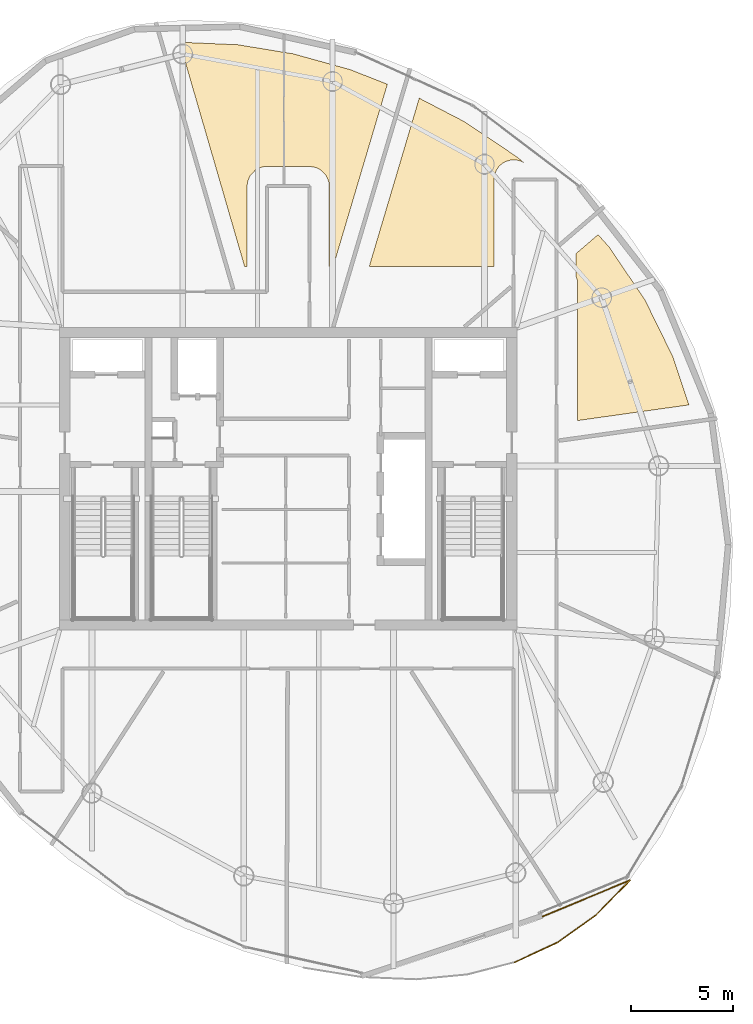
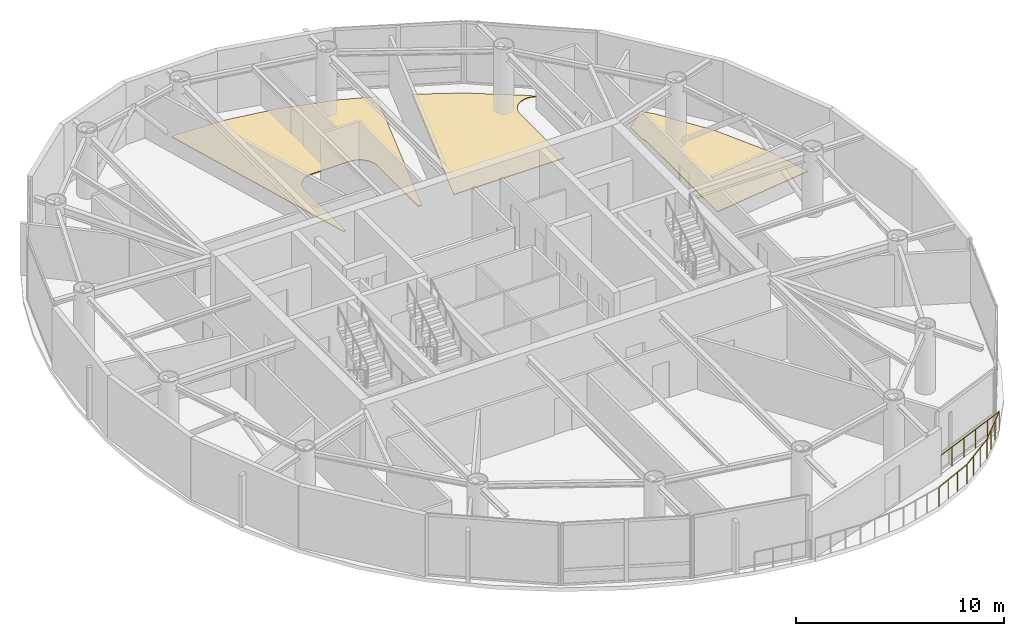
# One storey, part 19 of 19: 4 railings, 3 coverings.
"""IFC4 building model written with IfcOpenShell, lengths in metres."""

import ifcopenshell
import ifcopenshell.guid

model = None  # the IFC model being written
_history = None  # IfcOwnerHistory: only IFC2X3 demands one
_inside = {}  # id of a spatial element -> (the spatial element, [elements in it])
_under = {}  # id of a project, library or spatial element -> (it, [spatial elements below it])
_declared = {}  # id of a project -> (the project, [libraries it declares])
_typed = {}  # id of a type object -> (the type object, [elements of that type])
_made_of = {}  # id of a material, layer set ... -> (it, [elements and type objects made of it])


def new_model(schema):
    """Start an empty IFC model of exactly this schema.

    Asked for "IFC4X3", IfcOpenShell would pick the latest addendum, in which some entities
    have other attributes; the version numbers below select the first issue.
    IFC2X3 requires an IfcOwnerHistory on every rooted entity: one is made here for all.
    """
    global model, _history
    if schema == "IFC4X3":
        model = ifcopenshell.file(schema_version=(4, 3, 0, 0))
    else:
        model = ifcopenshell.file(schema=schema)
    _inside.clear()
    _under.clear()
    _declared.clear()
    _typed.clear()
    _made_of.clear()
    _history = None
    if model.schema == "IFC2X3":
        org = make("IfcOrganization", Name="unknown")
        user = make(
            "IfcPersonAndOrganization",
            ThePerson=make("IfcPerson", FamilyName="unknown"),
            TheOrganization=org,
        )
        app = make(
            "IfcApplication",
            ApplicationDeveloper=org,
            Version="unknown",
            ApplicationFullName="unknown",
            ApplicationIdentifier="unknown",
        )
        _history = make(
            "IfcOwnerHistory",
            OwningUser=user,
            OwningApplication=app,
            ChangeAction="ADDED",
            CreationDate=0,
        )
    return model


def make(cls, **values):
    """One entity of the class cls with the attributes given. An attribute that is None is left unset."""
    return model.create_entity(
        cls, **{name: value for name, value in values.items() if value is not None}
    )


def rooted(cls, **values):
    """An entity with a GlobalId (a new one), such as an element, a storey or a relation."""
    return make(cls, GlobalId=ifcopenshell.guid.new(), OwnerHistory=_history, **values)


def si_unit(unit_type, name, prefix=None):
    """IfcSIUnit, for example si_unit("LENGTHUNIT", "METRE", prefix="MILLI")."""
    return make("IfcSIUnit", UnitType=unit_type, Prefix=prefix, Name=name)


def assignment(units):
    """IfcUnitAssignment: the units of a project."""
    return None if units is None else make("IfcUnitAssignment", Units=units)


def point(xyz):
    """IfcCartesianPoint."""
    return None if xyz is None else make("IfcCartesianPoint", Coordinates=xyz)


def direction(xyz):
    """IfcDirection."""
    return None if xyz is None else make("IfcDirection", DirectionRatios=xyz)


def frame(location, z_axis=None, x_axis=None):
    """IfcAxis2Placement3D, a coordinate frame: its origin and axes. An axis left out is left unset."""
    return make(
        "IfcAxis2Placement3D",
        Location=point(location),
        Axis=direction(z_axis),
        RefDirection=direction(x_axis),
    )


def frame_2d(location, x_axis=None):
    """IfcAxis2Placement2D, a coordinate frame in the plane: its origin and x axis."""
    return make(
        "IfcAxis2Placement2D", Location=point(location), RefDirection=direction(x_axis)
    )


def origin():
    """The frame at (0, 0, 0) with its axes left unset."""
    return frame((0.0, 0.0, 0.0))


def origin_2d():
    """The frame at (0, 0) in the plane with its x axis left unset."""
    return frame_2d((0.0, 0.0))


def place(relative_to, where):
    """IfcLocalPlacement: puts the frame where relative to a parent placement (None: the world)."""
    return make(
        "IfcLocalPlacement", PlacementRelTo=relative_to, RelativePlacement=where
    )


def context(
    kind, dimensions, precision=None, world=None, true_north=None, identifier=None
):
    """IfcGeometricRepresentationContext, for example the 3D "Model" context."""
    return make(
        "IfcGeometricRepresentationContext",
        ContextIdentifier=identifier,
        ContextType=kind,
        CoordinateSpaceDimension=dimensions,
        Precision=precision,
        WorldCoordinateSystem=world,
        TrueNorth=true_north,
    )


def subcontext(parent, identifier, kind, view, scale=None):
    """IfcGeometricRepresentationSubContext, for example "Body" below "Model"."""
    return make(
        "IfcGeometricRepresentationSubContext",
        ContextIdentifier=identifier,
        ContextType=kind,
        ParentContext=parent,
        TargetScale=scale,
        TargetView=view,
    )


def project(units=None, contexts=None):
    """IfcProject with its units and contexts."""
    return rooted(
        "IfcProject",
        Name="project",
        RepresentationContexts=contexts,
        UnitsInContext=assignment(units),
    )


def spatial(cls, under=None, at=None, **own):
    """A site, building, storey or space (cls), placed at a placement, below another one or the project."""
    s = rooted(cls, ObjectPlacement=at, **own)
    if under is not None:
        _under.setdefault(under.id(), (under, []))[1].append(s)
    return s


def polyline(points):
    """IfcPolyline through the points."""
    return make("IfcPolyline", Points=[point(p) for p in points])


def profile(cls, at=None, kind="AREA", **sizes):
    """A parametric profile (cls). Its sizes go by their IFC names, for example OverallWidth=200.0."""
    return make(cls, ProfileType=kind, Position=at, **sizes)


def circle(**sizes):
    """IfcCircleProfileDef."""
    return profile("IfcCircleProfileDef", **sizes)


def outline(outer, holes=None, kind="AREA"):
    """IfcArbitraryClosedProfileDef: a profile drawn as a closed curve; with holes, ...WithVoids."""
    if holes is None:
        return make("IfcArbitraryClosedProfileDef", ProfileType=kind, OuterCurve=outer)
    return make(
        "IfcArbitraryProfileDefWithVoids",
        ProfileType=kind,
        OuterCurve=outer,
        InnerCurves=holes,
    )


def extrude(swept, where, along, depth):
    """IfcExtrudedAreaSolid: the profile swept, set in the frame where, extruded along a direction by depth."""
    return make(
        "IfcExtrudedAreaSolid",
        SweptArea=swept,
        Position=where,
        ExtrudedDirection=direction(along),
        Depth=depth,
    )


def shape(context_of_items, identifier, shape_type, items):
    """IfcShapeRepresentation: the items that make up one representation, for example the "Body"."""
    return make(
        "IfcShapeRepresentation",
        ContextOfItems=context_of_items,
        RepresentationIdentifier=identifier,
        RepresentationType=shape_type,
        Items=items,
    )


def material(Name=None, Category=None):
    """IfcMaterial."""
    return make("IfcMaterial", Name=Name, Category=Category)


def layer(
    of_material, thickness, ventilated=None, Name=None, Category=None, Priority=None
):
    """IfcMaterialLayer: one layer of a wall or slab, of a material (None: an air gap)."""
    return make(
        "IfcMaterialLayer",
        Material=of_material,
        LayerThickness=thickness,
        IsVentilated=ventilated,
        Name=Name,
        Category=Category,
        Priority=Priority,
    )


def layer_set(layers, Name=None):
    """IfcMaterialLayerSet."""
    return make("IfcMaterialLayerSet", MaterialLayers=layers, LayerSetName=Name)


def made_of(thing, what):
    """Note that an element or type object is made of a material, layer set ...; save() writes the relation."""
    if what is not None:
        _made_of.setdefault(what.id(), (what, []))[1].append(thing)
    return thing


def type_object(cls, material=None, **own):
    """A type object (cls), such as IfcWallType, which elements share."""
    return made_of(rooted(cls, **own), material)


def element(
    cls,
    number,
    at=None,
    inside=None,
    cuts=None,
    type_object=None,
    material=None,
    context=None,
    identifier="Body",
    shape_type=None,
    held_by="IfcProductDefinitionShape",
    body=None,
    shapes=None,
    **own,
):
    """One element of the class cls, such as IfcWall. Its Tag is "e" and its number.

    at: its placement. inside: the storey or other place that contains it. cuts: it is an
    opening in that element (IfcRelVoidsElement). A single representation is given by context,
    identifier, shape_type and body (its items); several are given by shapes. held_by: the class
    of the entity that holds the representations. save() writes the other relations.
    """
    e = rooted(cls, Tag="e%d" % number, ObjectPlacement=at, **own)
    if body is not None:
        shapes = [shape(context, identifier, shape_type, body)]
    if shapes is not None:
        e.Representation = make(held_by, Representations=shapes)
    if inside is not None:
        _inside.setdefault(inside.id(), (inside, []))[1].append(e)
    if cuts is not None:
        rooted(
            "IfcRelVoidsElement", RelatingBuildingElement=cuts, RelatedOpeningElement=e
        )
    if type_object is not None:
        _typed.setdefault(type_object.id(), (type_object, []))[1].append(e)
    return made_of(e, material)


def aggregate(whole, parts):
    """IfcRelAggregates: a whole, such as a stair, and the parts it consists of."""
    return rooted("IfcRelAggregates", RelatingObject=whole, RelatedObjects=parts)


def save(model, path):
    """Write the relations noted so far, then the file.

    IfcRelAggregates (storeys below a building ...), IfcRelContainedInSpatialStructure (elements
    in a storey), IfcRelDefinesByType, IfcRelAssociatesMaterial and IfcRelDeclares: one each for
    every whole, place, type object, material and project.
    """
    for whole, parts in _under.values():
        aggregate(whole, parts)
    for where, things in _inside.values():
        rooted(
            "IfcRelContainedInSpatialStructure",
            RelatedElements=things,
            RelatingStructure=where,
        )
    for kind, things in _typed.values():
        rooted("IfcRelDefinesByType", RelatedObjects=things, RelatingType=kind)
    for what, things in _made_of.values():
        rooted("IfcRelAssociatesMaterial", RelatedObjects=things, RelatingMaterial=what)
    for by, libraries in _declared.values():
        rooted("IfcRelDeclares", RelatingContext=by, RelatedDefinitions=libraries)
    model.write(path)


model = new_model("IFC4")

# Units and contexts
model_context = context("Model", 3, precision=1e-05, world=origin(), true_north=direction((0.0, 1.0)))
body_context = subcontext(model_context, "Body", "Model", "MODEL_VIEW")
ifc_project = project(units=[si_unit("LENGTHUNIT", "METRE"), si_unit("AREAUNIT", "SQUARE_METRE"), si_unit("VOLUMEUNIT", "CUBIC_METRE"), si_unit("PLANEANGLEUNIT", "RADIAN"), si_unit("MASSUNIT", "GRAM", prefix="KILO")], contexts=[model_context])

# Site, building, storey
site_placement = place(None, origin())
site = spatial("IfcSite", under=ifc_project, at=site_placement, CompositionType="ELEMENT")
building_placement = place(site_placement, origin())
building = spatial("IfcBuilding", under=site, at=building_placement, Name="Bramvorn Convention Spire", CompositionType="ELEMENT")
storey_placement = place(building_placement, frame((0.0, 0.0, 272.85009765625)))
storey = spatial("IfcBuildingStorey", under=building, at=storey_placement, Name="L69", CompositionType="ELEMENT", Elevation=272.85009765625)

# Coverings
ifc_material_1 = material(Name="Calcium-Sulphate Raised Access Office Floor", Category="steel")
ifc_layer = layer(ifc_material_1, 0.044921875)
ifc_layer_set = layer_set([ifc_layer], Name="Calcium-Sulphate Raised Access Office Floor - FLR-RAISED-45")
covering_type = type_object("IfcCoveringType", Name="FLR-RAISED-45", PredefinedType="FLOORING", material=ifc_layer_set)
covering_1_placement = place(storey_placement, origin())
element("IfcCovering", 1, at=covering_1_placement, inside=storey, type_object=covering_type, Name="L69 Archive & Document Store 1 1 raised floor finish", PredefinedType="FLOORING", context=body_context, shape_type="SweptSolid", body=[
    extrude(outline(polyline([(52.233642578125, 35.765869140625), (52.25, 35.60009765625), (52.25, 28.861083984375), (57.723876953125, 29.63037109375), (56.941650390625, 31.98486328125), (55.5537109375, 34.808349609375), (53.788818359375, 37.412841796875), (53.25244140625, 38.01025390625), (52.169921875, 37.078125), (52.169921875, 35.95751953125), (52.233642578125, 35.765869140625)])), origin(), (0.0, 0.0, 1.0), 0.044921875),
])
covering_2_placement = place(storey_placement, origin())
element("IfcCovering", 2, at=covering_2_placement, inside=storey, type_object=covering_type, Name="L69 Archive & Document Vault 2 2 raised floor finish", PredefinedType="FLOORING", context=body_context, shape_type="SweptSolid", body=[
    extrude(outline(polyline([(41.9912109375, 36.449951171875), (48.1298828125, 36.449951171875), (48.1298828125, 40.725830078125), (48.161376953125, 40.9697265625), (48.267822265625, 41.22412109375), (48.382080078125, 41.378173828125), (48.534423828125, 41.513916015625), (48.70068359375, 41.60986328125), (48.965576171875, 41.686279296875), (49.157470703125, 41.694091796875), (49.358642578125, 41.66064453125), (49.57470703125, 41.57080078125), (49.280517578125, 41.8232421875), (46.656494140625, 43.580810546875), (44.4501953125, 44.726806640625), (41.9912109375, 36.449951171875)])), origin(), (0.0, 0.0, 1.0), 0.044921875),
])
covering_3_placement = place(storey_placement, origin())
element("IfcCovering", 3, at=covering_3_placement, inside=storey, type_object=covering_type, Name="L69 Archive & Print Store 3 3 raised floor finish", PredefinedType="FLOORING", context=body_context, shape_type="SweptSolid", body=[
    extrude(outline(polyline([(32.96435546875, 47.469482421875), (32.663330078125, 47.44091796875), (35.852783203125, 36.449951171875), (35.97998046875, 36.449951171875), (35.98095703125, 40.441650390625), (36.010498046875, 40.641357421875), (36.12109375, 40.90380859375), (36.376953125, 41.1826171875), (36.61767578125, 41.311279296875), (36.802001953125, 41.3583984375), (39.050048828125, 41.3701171875), (39.37109375, 41.315185546875), (39.632568359375, 41.175537109375), (39.87890625, 40.90380859375), (39.9921875, 40.6298828125), (40.02001953125, 40.39990234375), (40.02001953125, 36.449951171875), (40.2177734375, 36.449951171875), (42.880859375, 45.41455078125), (41.05615234375, 46.131103515625), (38.2451171875, 46.91162109375), (35.528076171875, 47.358154296875), (32.96435546875, 47.469482421875)])), origin(), (0.0, 0.0, 1.0), 0.044921875),
])

# Railings
ifc_material_2 = material(Name="Bronze Cap-Rail & Laminated Structural Glass Balustrade", Category="glass")
railing_type = type_object("IfcRailingType", Name="RL-TERR-GUARD-1150", PredefinedType="GUARDRAIL", material=ifc_material_2)
railing_1_placement = place(storey_placement, frame((54.827880859375, 6.237060546875, 0.0)))
element("IfcRailing", 4, at=railing_1_placement, inside=storey, type_object=railing_type, Name="L69 Sky Garden perimeter safety guardrail 1", PredefinedType="GUARDRAIL", context=body_context, shape_type="SweptSolid", body=[
    extrude(circle(Radius=0.02392578125, at=origin_2d()), frame((0.0, 0.0, 1.1259765625), z_axis=(-0.923532927627, -0.383519141097, 0.0), x_axis=(0.383519141097, -0.923532927627, 0.0)), (0.0, 0.0, 1.0), 4.666015625),
    extrude(circle(Radius=0.02099609375, at=origin_2d()), origin(), (0.0, 0.0, 1.0), 1.101806640625),
    extrude(circle(Radius=0.02099609375, at=origin_2d()), frame((-0.86181640625, -0.35791015625, 0.0)), (0.0, 0.0, 1.0), 1.101806640625),
    extrude(circle(Radius=0.02099609375, at=origin_2d()), frame((-1.7236328125, -0.7158203125, 0.0)), (0.0, 0.0, 1.0), 1.101806640625),
    extrude(circle(Radius=0.02099609375, at=origin_2d()), frame((-2.585693359375, -1.07373046875, 0.0)), (0.0, 0.0, 1.0), 1.101806640625),
    extrude(circle(Radius=0.02099609375, at=origin_2d()), frame((-3.447509765625, -1.431640625, 0.0)), (0.0, 0.0, 1.0), 1.101806640625),
    extrude(circle(Radius=0.02099609375, at=origin_2d()), frame((-4.309326171875, -1.78955078125, 0.0)), (0.0, 0.0, 1.0), 1.101806640625),
])
railing_2_placement = place(storey_placement, frame((49.15185546875, 2.196533203125, 0.0)))
element("IfcRailing", 5, at=railing_2_placement, inside=storey, type_object=railing_type, Name="L69 Sky Garden perimeter safety guardrail 5", PredefinedType="GUARDRAIL", context=body_context, shape_type="SweptSolid", body=[
    extrude(circle(Radius=0.02392578125, at=origin_2d()), frame((0.0, 0.0, 1.1259765625), z_axis=(0.90759599922, 0.419844616734, 0.0), x_axis=(-0.419844616734, 0.90759599922, 0.0)), (0.0, 0.0, 1.0), 2.322509765625),
    extrude(circle(Radius=0.02099609375, at=origin_2d()), origin(), (0.0, 0.0, 1.0), 1.101806640625),
    extrude(circle(Radius=0.02099609375, at=origin_2d()), frame((0.70263671875, 0.324951171875, 0.0)), (0.0, 0.0, 1.0), 1.101806640625),
    extrude(circle(Radius=0.02099609375, at=origin_2d()), frame((1.4052734375, 0.650146484375, 0.0)), (0.0, 0.0, 1.0), 1.101806640625),
    extrude(circle(Radius=0.02099609375, at=origin_2d()), frame((2.10791015625, 0.97509765625, 0.0)), (0.0, 0.0, 1.0), 1.101806640625),
])
railing_3_placement = place(storey_placement, frame((51.259765625, 3.171630859375, 0.0)))
element("IfcRailing", 6, at=railing_3_placement, inside=storey, type_object=railing_type, Name="L69 Sky Garden perimeter safety guardrail 6", PredefinedType="GUARDRAIL", context=body_context, shape_type="SweptSolid", body=[
    extrude(circle(Radius=0.02392578125, at=origin_2d()), frame((0.0, 0.0, 1.1259765625), z_axis=(0.814358033485, 0.580362811781, 0.0), x_axis=(-0.580362811781, 0.814358033485, 0.0)), (0.0, 0.0, 1.0), 2.322509765625),
    extrude(circle(Radius=0.02099609375, at=origin_2d()), origin(), (0.0, 0.0, 1.0), 1.101806640625),
    extrude(circle(Radius=0.02099609375, at=origin_2d()), frame((0.63037109375, 0.44921875, 0.0)), (0.0, 0.0, 1.0), 1.101806640625),
    extrude(circle(Radius=0.02099609375, at=origin_2d()), frame((1.260986328125, 0.898681640625, 0.0)), (0.0, 0.0, 1.0), 1.101806640625),
    extrude(circle(Radius=0.02099609375, at=origin_2d()), frame((1.891357421875, 1.347900390625, 0.0)), (0.0, 0.0, 1.0), 1.101806640625),
])
railing_4_placement = place(storey_placement, frame((53.151123046875, 4.51953125, 0.0)))
element("IfcRailing", 7, at=railing_4_placement, inside=storey, type_object=railing_type, Name="L69 Sky Garden perimeter safety guardrail 7", PredefinedType="GUARDRAIL", context=body_context, shape_type="SweptSolid", body=[
    extrude(circle(Radius=0.02392578125, at=origin_2d()), frame((0.0, 0.0, 1.1259765625), z_axis=(0.698562765137, 0.715548784615, 0.0), x_axis=(-0.715548784615, 0.698562765137, 0.0)), (0.0, 0.0, 1.0), 2.400390625),
    extrude(circle(Radius=0.02099609375, at=origin_2d()), origin(), (0.0, 0.0, 1.0), 1.101806640625),
    extrude(circle(Radius=0.02099609375, at=origin_2d()), frame((0.558837890625, 0.572509765625, 0.0)), (0.0, 0.0, 1.0), 1.101806640625),
    extrude(circle(Radius=0.02099609375, at=origin_2d()), frame((1.117919921875, 1.14501953125, 0.0)), (0.0, 0.0, 1.0), 1.101806640625),
    extrude(circle(Radius=0.02099609375, at=origin_2d()), frame((1.6767578125, 1.717529296875, 0.0)), (0.0, 0.0, 1.0), 1.101806640625),
])

save(model, "model.ifc")
